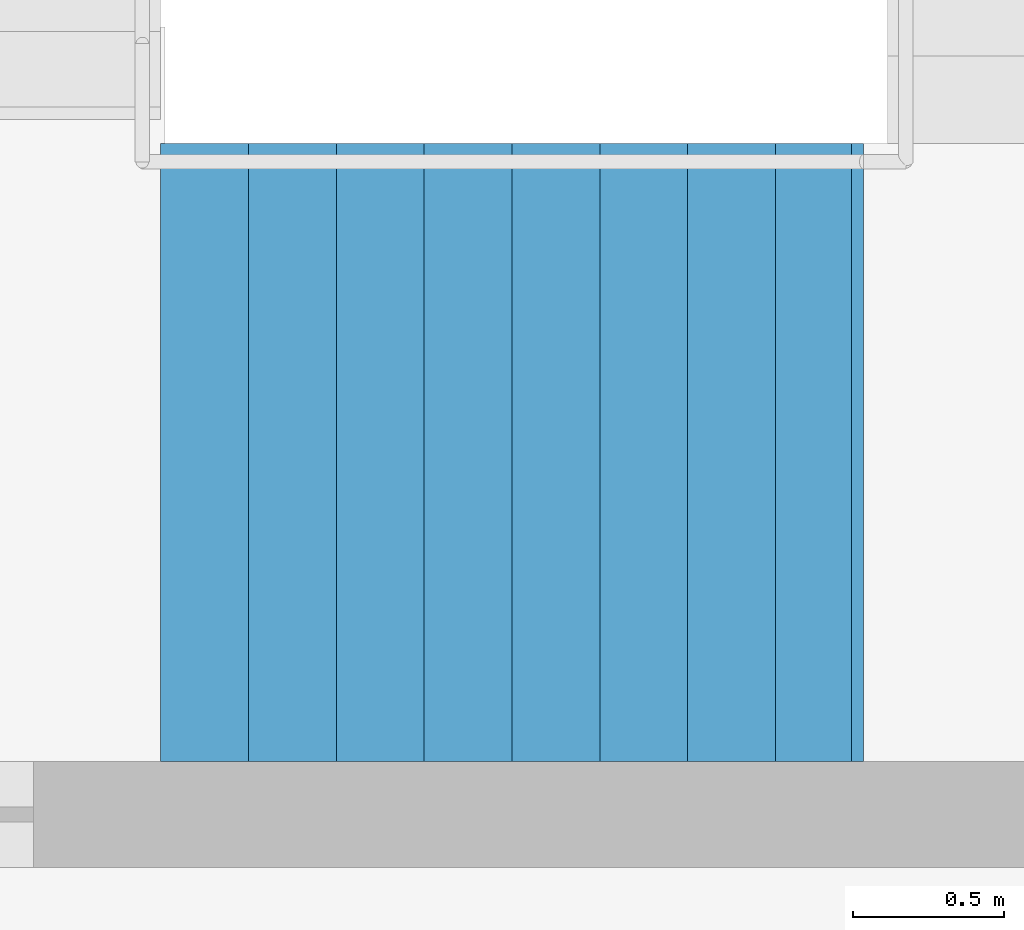
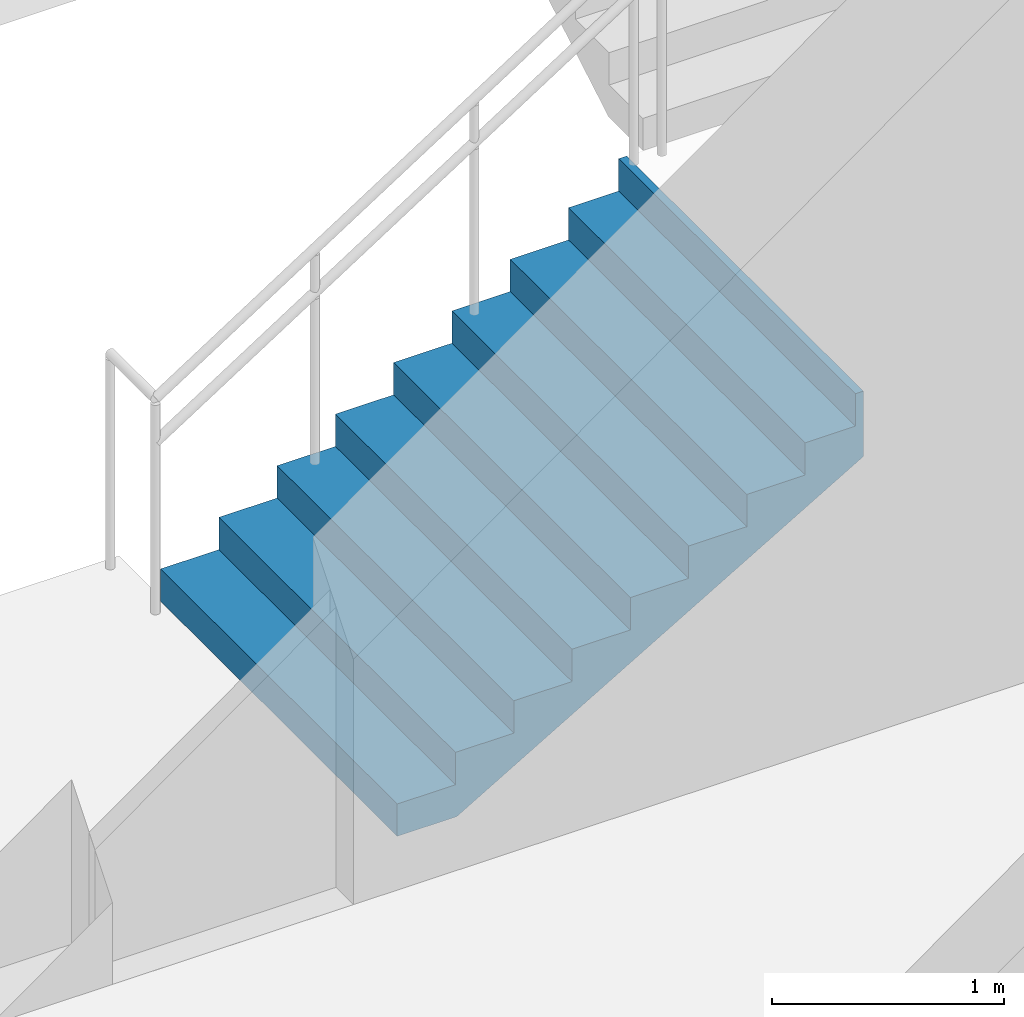
# One storey, part 40 of 46: 1 stair flight, 1 element without a shape of its own.
"""IFC4 building model written with IfcOpenShell, lengths in metres."""

import ifcopenshell
import ifcopenshell.guid

model = None  # the IFC model being written
_history = None  # IfcOwnerHistory: only IFC2X3 demands one
_inside = {}  # id of a spatial element -> (the spatial element, [elements in it])
_under = {}  # id of a project, library or spatial element -> (it, [spatial elements below it])
_declared = {}  # id of a project -> (the project, [libraries it declares])
_typed = {}  # id of a type object -> (the type object, [elements of that type])
_made_of = {}  # id of a material, layer set ... -> (it, [elements and type objects made of it])


def new_model(schema):
    """Start an empty IFC model of exactly this schema.

    Asked for "IFC4X3", IfcOpenShell would pick the latest addendum, in which some entities
    have other attributes; the version numbers below select the first issue.
    IFC2X3 requires an IfcOwnerHistory on every rooted entity: one is made here for all.
    """
    global model, _history
    if schema == "IFC4X3":
        model = ifcopenshell.file(schema_version=(4, 3, 0, 0))
    else:
        model = ifcopenshell.file(schema=schema)
    _inside.clear()
    _under.clear()
    _declared.clear()
    _typed.clear()
    _made_of.clear()
    _history = None
    if model.schema == "IFC2X3":
        org = make("IfcOrganization", Name="unknown")
        user = make(
            "IfcPersonAndOrganization",
            ThePerson=make("IfcPerson", FamilyName="unknown"),
            TheOrganization=org,
        )
        app = make(
            "IfcApplication",
            ApplicationDeveloper=org,
            Version="unknown",
            ApplicationFullName="unknown",
            ApplicationIdentifier="unknown",
        )
        _history = make(
            "IfcOwnerHistory",
            OwningUser=user,
            OwningApplication=app,
            ChangeAction="ADDED",
            CreationDate=0,
        )
    return model


def make(cls, **values):
    """One entity of the class cls with the attributes given. An attribute that is None is left unset."""
    return model.create_entity(
        cls, **{name: value for name, value in values.items() if value is not None}
    )


def rooted(cls, **values):
    """An entity with a GlobalId (a new one), such as an element, a storey or a relation."""
    return make(cls, GlobalId=ifcopenshell.guid.new(), OwnerHistory=_history, **values)


def si_unit(unit_type, name, prefix=None):
    """IfcSIUnit, for example si_unit("LENGTHUNIT", "METRE", prefix="MILLI")."""
    return make("IfcSIUnit", UnitType=unit_type, Prefix=prefix, Name=name)


def assignment(units):
    """IfcUnitAssignment: the units of a project."""
    return None if units is None else make("IfcUnitAssignment", Units=units)


def point(xyz):
    """IfcCartesianPoint."""
    return None if xyz is None else make("IfcCartesianPoint", Coordinates=xyz)


def direction(xyz):
    """IfcDirection."""
    return None if xyz is None else make("IfcDirection", DirectionRatios=xyz)


def frame(location, z_axis=None, x_axis=None):
    """IfcAxis2Placement3D, a coordinate frame: its origin and axes. An axis left out is left unset."""
    return make(
        "IfcAxis2Placement3D",
        Location=point(location),
        Axis=direction(z_axis),
        RefDirection=direction(x_axis),
    )


def origin():
    """The frame at (0, 0, 0) with its axes left unset."""
    return frame((0.0, 0.0, 0.0))


def place(relative_to, where):
    """IfcLocalPlacement: puts the frame where relative to a parent placement (None: the world)."""
    return make(
        "IfcLocalPlacement", PlacementRelTo=relative_to, RelativePlacement=where
    )


def context(
    kind, dimensions, precision=None, world=None, true_north=None, identifier=None
):
    """IfcGeometricRepresentationContext, for example the 3D "Model" context."""
    return make(
        "IfcGeometricRepresentationContext",
        ContextIdentifier=identifier,
        ContextType=kind,
        CoordinateSpaceDimension=dimensions,
        Precision=precision,
        WorldCoordinateSystem=world,
        TrueNorth=true_north,
    )


def subcontext(parent, identifier, kind, view, scale=None):
    """IfcGeometricRepresentationSubContext, for example "Body" below "Model"."""
    return make(
        "IfcGeometricRepresentationSubContext",
        ContextIdentifier=identifier,
        ContextType=kind,
        ParentContext=parent,
        TargetScale=scale,
        TargetView=view,
    )


def project(units=None, contexts=None):
    """IfcProject with its units and contexts."""
    return rooted(
        "IfcProject",
        Name="project",
        RepresentationContexts=contexts,
        UnitsInContext=assignment(units),
    )


def spatial(cls, under=None, at=None, **own):
    """A site, building, storey or space (cls), placed at a placement, below another one or the project."""
    s = rooted(cls, ObjectPlacement=at, **own)
    if under is not None:
        _under.setdefault(under.id(), (under, []))[1].append(s)
    return s


def point_list(points):
    """IfcCartesianPointList2D or 3D."""
    cls = (
        "IfcCartesianPointList2D" if len(points[0]) == 2 else "IfcCartesianPointList3D"
    )
    return make(cls, CoordList=points)


def triangles(points, corners, closed=None, point_numbers=None):
    """IfcTriangulatedFaceSet: each triangle names its three corners, points numbered from 1."""
    return make(
        "IfcTriangulatedFaceSet",
        Coordinates=point_list(points),
        Closed=closed,
        CoordIndex=corners,
        PnIndex=point_numbers,
    )


def shape(context_of_items, identifier, shape_type, items):
    """IfcShapeRepresentation: the items that make up one representation, for example the "Body"."""
    return make(
        "IfcShapeRepresentation",
        ContextOfItems=context_of_items,
        RepresentationIdentifier=identifier,
        RepresentationType=shape_type,
        Items=items,
    )


def material(Name=None, Category=None):
    """IfcMaterial."""
    return make("IfcMaterial", Name=Name, Category=Category)


def made_of(thing, what):
    """Note that an element or type object is made of a material, layer set ...; save() writes the relation."""
    if what is not None:
        _made_of.setdefault(what.id(), (what, []))[1].append(thing)
    return thing


def type_object(cls, material=None, **own):
    """A type object (cls), such as IfcWallType, which elements share."""
    return made_of(rooted(cls, **own), material)


def element(
    cls,
    number,
    at=None,
    inside=None,
    cuts=None,
    type_object=None,
    material=None,
    context=None,
    identifier="Body",
    shape_type=None,
    held_by="IfcProductDefinitionShape",
    body=None,
    shapes=None,
    **own,
):
    """One element of the class cls, such as IfcWall. Its Tag is "e" and its number.

    at: its placement. inside: the storey or other place that contains it. cuts: it is an
    opening in that element (IfcRelVoidsElement). A single representation is given by context,
    identifier, shape_type and body (its items); several are given by shapes. held_by: the class
    of the entity that holds the representations. save() writes the other relations.
    """
    e = rooted(cls, Tag="e%d" % number, ObjectPlacement=at, **own)
    if body is not None:
        shapes = [shape(context, identifier, shape_type, body)]
    if shapes is not None:
        e.Representation = make(held_by, Representations=shapes)
    if inside is not None:
        _inside.setdefault(inside.id(), (inside, []))[1].append(e)
    if cuts is not None:
        rooted(
            "IfcRelVoidsElement", RelatingBuildingElement=cuts, RelatedOpeningElement=e
        )
    if type_object is not None:
        _typed.setdefault(type_object.id(), (type_object, []))[1].append(e)
    return made_of(e, material)


def aggregate(whole, parts):
    """IfcRelAggregates: a whole, such as a stair, and the parts it consists of."""
    return rooted("IfcRelAggregates", RelatingObject=whole, RelatedObjects=parts)


def save(model, path):
    """Write the relations noted so far, then the file.

    IfcRelAggregates (storeys below a building ...), IfcRelContainedInSpatialStructure (elements
    in a storey), IfcRelDefinesByType, IfcRelAssociatesMaterial and IfcRelDeclares: one each for
    every whole, place, type object, material and project.
    """
    for whole, parts in _under.values():
        aggregate(whole, parts)
    for where, things in _inside.values():
        rooted(
            "IfcRelContainedInSpatialStructure",
            RelatedElements=things,
            RelatingStructure=where,
        )
    for kind, things in _typed.values():
        rooted("IfcRelDefinesByType", RelatedObjects=things, RelatingType=kind)
    for what, things in _made_of.values():
        rooted("IfcRelAssociatesMaterial", RelatedObjects=things, RelatingMaterial=what)
    for by, libraries in _declared.values():
        rooted("IfcRelDeclares", RelatingContext=by, RelatedDefinitions=libraries)
    model.write(path)


model = new_model("IFC4")

# Units and contexts
model_context = context("Model", 3, precision=1e-05, world=origin(), true_north=direction((0.0, 1.0)))
body_context = subcontext(model_context, "Body", "Model", "MODEL_VIEW")
ifc_project = project(units=[si_unit("LENGTHUNIT", "METRE"), si_unit("AREAUNIT", "SQUARE_METRE"), si_unit("VOLUMEUNIT", "CUBIC_METRE"), si_unit("PLANEANGLEUNIT", "RADIAN"), si_unit("MASSUNIT", "GRAM", prefix="KILO")], contexts=[model_context])

# Site, building, storey
site_placement = place(None, origin())
site = spatial("IfcSite", under=ifc_project, at=site_placement, CompositionType="ELEMENT")
building_placement = place(site_placement, origin())
building = spatial("IfcBuilding", under=site, at=building_placement, Name="Sillaruma Civic Art Gallery", CompositionType="ELEMENT")
storey_placement = place(building_placement, frame((0.0, 0.0, 16.320068359375)))
storey = spatial("IfcBuildingStorey", under=building, at=storey_placement, Name="L03", CompositionType="ELEMENT", Elevation=16.320068359375)

# Stair, stair flight
ifc_material = material(Name="Concrete H35 (35 MPa)", Category="concrete")
stair_type = type_object("IfcStairType", Name="STR-4F-36", PredefinedType="USERDEFINED", material=ifc_material)
stair_placement = place(storey_placement, origin())
stair = element("IfcStair", 1, at=stair_placement, inside=storey, type_object=stair_type, Name="Protected Exit Stair ST-02 (West Bar North) (L03)", ObjectType="THREE_RETURN_STAIR", PredefinedType="USERDEFINED")
stair_flight_type = type_object("IfcStairFlightType", Name="SFL-STR-9", PredefinedType="STRAIGHT", material=ifc_material)
stair_flight_placement = place(storey_placement, frame((64.800048828125, 81.929931640625, 0.0), z_axis=(0.0, 0.0, 1.0), x_axis=(1.0, 0.0, 0.0)))
stair_flight = element("IfcStairFlight", 2, at=stair_flight_placement, type_object=stair_flight_type, Name="ST-02 flight 1", NumberOfRisers=9, NumberOfTreads=8, PredefinedType="STRAIGHT", RiserHeight=0.17, TreadLength=0.29, context=body_context, shape_type="Tessellation", body=[
    triangles([(0.0, -1.02001953125, 0.0), (0.29, -1.02001953125, 0.0), (0.296482, -1.02001953125, 0.0), (0.58, -1.02001953125, 0.1662), (0.87, -1.02001953125, 0.3362), (1.16, -1.02001953125, 0.5062), (1.45, -1.02001953125, 0.6762), (1.74, -1.02001953125, 0.8462), (2.03, -1.02001953125, 1.0162), (2.280068, -1.02001953125, 1.162792), (2.320068, -1.02001953125, 1.18624), (2.320068, -1.02001953125, 1.53), (2.280068, -1.02001953125, 1.53), (2.280068, -1.02001953125, 1.36), (2.03, -1.02001953125, 1.36), (2.03, -1.02001953125, 1.19), (1.74, -1.02001953125, 1.19), (1.74, -1.02001953125, 1.02), (1.45, -1.02001953125, 1.02), (1.45, -1.02001953125, 0.85), (1.16, -1.02001953125, 0.85), (1.16, -1.02001953125, 0.68), (0.87, -1.02001953125, 0.68), (0.87, -1.02001953125, 0.51), (0.58, -1.02001953125, 0.51), (0.58, -1.02001953125, 0.34), (0.296482, -1.02001953125, 0.34), (0.29, -1.02001953125, 0.34), (0.29, -1.02001953125, 0.17), (0.0, -1.02001953125, 0.17), (0.0, -0.05, 0.0), (0.29, -0.05, 0.0), (0.296482, -0.05, 0.0), (0.58, -0.05, 0.1662), (0.87, -0.05, 0.3362), (1.16, -0.05, 0.5062), (1.45, -0.05, 0.6762), (1.74, -0.05, 0.8462), (2.03, -0.05, 1.0162), (2.280068, -0.05, 1.162792), (2.320068, -0.05, 1.18624), (2.320068, -0.05, 1.53), (2.280068, -0.05, 1.53), (2.280068, -0.05, 1.36), (2.03, -0.05, 1.36), (2.03, -0.05, 1.19), (1.74, -0.05, 1.19), (1.74, -0.05, 1.02), (1.45, -0.05, 1.02), (1.45, -0.05, 0.85), (1.16, -0.05, 0.85), (1.16, -0.05, 0.68), (0.87, -0.05, 0.68), (0.87, -0.05, 0.51), (0.58, -0.05, 0.51), (0.58, -0.05, 0.34), (0.296482, -0.05, 0.34), (0.29, -0.05, 0.34), (0.29, -0.05, 0.17), (0.0, -0.05, 0.17), (0.0, -0.0375, 0.0), (0.29, -0.0375, 0.0), (0.296482, -0.0375, 0.0), (0.58, -0.0375, 0.1662), (0.87, -0.0375, 0.3362), (1.16, -0.0375, 0.5062), (1.45, -0.0375, 0.6762), (1.74, -0.0375, 0.8462), (2.03, -0.0375, 1.0162), (2.280068, -0.0375, 1.162792), (2.320068, -0.0375, 1.18624), (2.320068, -0.0375, 1.53), (2.280068, -0.0375, 1.53), (2.280068, -0.0375, 1.36), (2.03, -0.0375, 1.36), (2.03, -0.0375, 1.19), (1.74, -0.0375, 1.19), (1.74, -0.0375, 1.02), (1.45, -0.0375, 1.02), (1.45, -0.0375, 0.85), (1.16, -0.0375, 0.85), (1.16, -0.0375, 0.68), (0.87, -0.0375, 0.68), (0.87, -0.0375, 0.51), (0.58, -0.0375, 0.51), (0.58, -0.0375, 0.34), (0.296482, -0.0375, 0.34), (0.29, -0.0375, 0.34), (0.29, -0.0375, 0.17), (0.0, -0.0375, 0.17), (0.0, -0.025, 0.0), (0.29, -0.025, 0.0), (0.296482, -0.025, 0.0), (0.58, -0.025, 0.1662), (0.87, -0.025, 0.3362), (1.16, -0.025, 0.5062), (1.45, -0.025, 0.6762), (1.74, -0.025, 0.8462), (2.03, -0.025, 1.0162), (2.280068, -0.025, 1.162792), (2.320068, -0.025, 1.18624), (2.320068, -0.025, 1.53), (2.280068, -0.025, 1.53), (2.280068, -0.025, 1.36), (2.03, -0.025, 1.36), (2.03, -0.025, 1.19), (1.74, -0.025, 1.19), (1.74, -0.025, 1.02), (1.45, -0.025, 1.02), (1.45, -0.025, 0.85), (1.16, -0.025, 0.85), (1.16, -0.025, 0.68), (0.87, -0.025, 0.68), (0.87, -0.025, 0.51), (0.58, -0.025, 0.51), (0.58, -0.025, 0.34), (0.296482, -0.025, 0.34), (0.29, -0.025, 0.34), (0.29, -0.025, 0.17), (0.0, -0.025, 0.17), (0.0, -0.0125, 0.0), (0.29, -0.0125, 0.0), (0.296482, -0.0125, 0.0), (0.58, -0.0125, 0.1662), (0.87, -0.0125, 0.3362), (1.16, -0.0125, 0.5062), (1.45, -0.0125, 0.6762), (1.74, -0.0125, 0.8462), (2.03, -0.0125, 1.0162), (2.280068, -0.0125, 1.162792), (2.320068, -0.0125, 1.18624), (2.320068, -0.0125, 1.53), (2.280068, -0.0125, 1.53), (2.280068, -0.0125, 1.36), (2.03, -0.0125, 1.36), (2.03, -0.0125, 1.19), (1.74, -0.0125, 1.19), (1.74, -0.0125, 1.02), (1.45, -0.0125, 1.02), (1.45, -0.0125, 0.85), (1.16, -0.0125, 0.85), (1.16, -0.0125, 0.68), (0.87, -0.0125, 0.68), (0.87, -0.0125, 0.51), (0.58, -0.0125, 0.51), (0.58, -0.0125, 0.34), (0.296482, -0.0125, 0.34), (0.29, -0.0125, 0.34), (0.29, -0.0125, 0.17), (0.0, -0.0125, 0.17), (0.0, 0.0, 0.0), (0.29, 0.0, 0.0), (0.296482, 0.0, 0.0), (0.58, 0.0, 0.1662), (0.87, 0.0, 0.3362), (1.16, 0.0, 0.5062), (1.45, 0.0, 0.6762), (1.74, 0.0, 0.8462), (2.03, 0.0, 1.0162), (2.280068, 0.0, 1.162792), (2.320068, 0.0, 1.18624), (2.320068, 0.0, 1.53), (2.280068, 0.0, 1.53), (2.280068, 0.0, 1.36), (2.03, 0.0, 1.36), (2.03, 0.0, 1.19), (1.74, 0.0, 1.19), (1.74, 0.0, 1.02), (1.45, 0.0, 1.02), (1.45, 0.0, 0.85), (1.16, 0.0, 0.85), (1.16, 0.0, 0.68), (0.87, 0.0, 0.68), (0.87, 0.0, 0.51), (0.58, 0.0, 0.51), (0.58, 0.0, 0.34), (0.296482, 0.0, 0.34), (0.29, 0.0, 0.34), (0.29, 0.0, 0.17), (0.0, 0.0, 0.17), (0.0, 0.0125, 0.0), (0.29, 0.0125, 0.0), (0.296482, 0.0125, 0.0), (0.58, 0.0125, 0.1662), (0.87, 0.0125, 0.3362), (1.16, 0.0125, 0.5062), (1.45, 0.0125, 0.6762), (1.74, 0.0125, 0.8462), (2.03, 0.0125, 1.0162), (2.280068, 0.0125, 1.162792), (2.320068, 0.0125, 1.18624), (2.320068, 0.0125, 1.53), (2.280068, 0.0125, 1.53), (2.280068, 0.0125, 1.36), (2.03, 0.0125, 1.36), (2.03, 0.0125, 1.19), (1.74, 0.0125, 1.19), (1.74, 0.0125, 1.02), (1.45, 0.0125, 1.02), (1.45, 0.0125, 0.85), (1.16, 0.0125, 0.85), (1.16, 0.0125, 0.68), (0.87, 0.0125, 0.68), (0.87, 0.0125, 0.51), (0.58, 0.0125, 0.51), (0.58, 0.0125, 0.34), (0.296482, 0.0125, 0.34), (0.29, 0.0125, 0.34), (0.29, 0.0125, 0.17), (0.0, 0.0125, 0.17), (0.0, 0.025, 0.0), (0.29, 0.025, 0.0), (0.296482, 0.025, 0.0), (0.58, 0.025, 0.1662), (0.87, 0.025, 0.3362), (1.16, 0.025, 0.5062), (1.45, 0.025, 0.6762), (1.74, 0.025, 0.8462), (2.03, 0.025, 1.0162), (2.280068, 0.025, 1.162792), (2.320068, 0.025, 1.18624), (2.320068, 0.025, 1.53), (2.280068, 0.025, 1.53), (2.280068, 0.025, 1.36), (2.03, 0.025, 1.36), (2.03, 0.025, 1.19), (1.74, 0.025, 1.19), (1.74, 0.025, 1.02), (1.45, 0.025, 1.02), (1.45, 0.025, 0.85), (1.16, 0.025, 0.85), (1.16, 0.025, 0.68), (0.87, 0.025, 0.68), (0.87, 0.025, 0.51), (0.58, 0.025, 0.51), (0.58, 0.025, 0.34), (0.296482, 0.025, 0.34), (0.29, 0.025, 0.34), (0.29, 0.025, 0.17), (0.0, 0.025, 0.17), (0.0, 0.0375, 0.0), (0.29, 0.0375, 0.0), (0.296482, 0.0375, 0.0), (0.58, 0.0375, 0.1662), (0.87, 0.0375, 0.3362), (1.16, 0.0375, 0.5062), (1.45, 0.0375, 0.6762), (1.74, 0.0375, 0.8462), (2.03, 0.0375, 1.0162), (2.280068, 0.0375, 1.162792), (2.320068, 0.0375, 1.18624), (2.320068, 0.0375, 1.53), (2.280068, 0.0375, 1.53), (2.280068, 0.0375, 1.36), (2.03, 0.0375, 1.36), (2.03, 0.0375, 1.19), (1.74, 0.0375, 1.19), (1.74, 0.0375, 1.02), (1.45, 0.0375, 1.02), (1.45, 0.0375, 0.85), (1.16, 0.0375, 0.85), (1.16, 0.0375, 0.68), (0.87, 0.0375, 0.68), (0.87, 0.0375, 0.51), (0.58, 0.0375, 0.51), (0.58, 0.0375, 0.34), (0.296482, 0.0375, 0.34), (0.29, 0.0375, 0.34), (0.29, 0.0375, 0.17), (0.0, 0.0375, 0.17), (0.0, 0.05, 0.0), (0.29, 0.05, 0.0), (0.296482, 0.05, 0.0), (0.58, 0.05, 0.1662), (0.87, 0.05, 0.3362), (1.16, 0.05, 0.5062), (1.45, 0.05, 0.6762), (1.74, 0.05, 0.8462), (2.03, 0.05, 1.0162), (2.280068, 0.05, 1.162792), (2.320068, 0.05, 1.18624), (2.320068, 0.05, 1.53), (2.280068, 0.05, 1.53), (2.280068, 0.05, 1.36), (2.03, 0.05, 1.36), (2.03, 0.05, 1.19), (1.74, 0.05, 1.19), (1.74, 0.05, 1.02), (1.45, 0.05, 1.02), (1.45, 0.05, 0.85), (1.16, 0.05, 0.85), (1.16, 0.05, 0.68), (0.87, 0.05, 0.68), (0.87, 0.05, 0.51), (0.58, 0.05, 0.51), (0.58, 0.05, 0.34), (0.296482, 0.05, 0.34), (0.29, 0.05, 0.34), (0.29, 0.05, 0.17), (0.0, 0.05, 0.17), (0.0, 1.02001953125, 0.0), (0.29, 1.02001953125, 0.0), (0.296482, 1.02001953125, 0.0), (0.58, 1.02001953125, 0.1662), (0.87, 1.02001953125, 0.3362), (1.16, 1.02001953125, 0.5062), (1.45, 1.02001953125, 0.6762), (1.74, 1.02001953125, 0.8462), (2.03, 1.02001953125, 1.0162), (2.280068, 1.02001953125, 1.162792), (2.320068, 1.02001953125, 1.18624), (2.320068, 1.02001953125, 1.53), (2.280068, 1.02001953125, 1.53), (2.280068, 1.02001953125, 1.36), (2.03, 1.02001953125, 1.36), (2.03, 1.02001953125, 1.19), (1.74, 1.02001953125, 1.19), (1.74, 1.02001953125, 1.02), (1.45, 1.02001953125, 1.02), (1.45, 1.02001953125, 0.85), (1.16, 1.02001953125, 0.85), (1.16, 1.02001953125, 0.68), (0.87, 1.02001953125, 0.68), (0.87, 1.02001953125, 0.51), (0.58, 1.02001953125, 0.51), (0.58, 1.02001953125, 0.34), (0.296482, 1.02001953125, 0.34), (0.29, 1.02001953125, 0.34), (0.29, 1.02001953125, 0.17), (0.0, 1.02001953125, 0.17)], [[1, 2, 29], [1, 29, 30], [2, 3, 27], [2, 27, 29], [29, 27, 28], [3, 4, 26], [3, 26, 27], [4, 5, 24], [4, 24, 26], [26, 24, 25], [5, 6, 22], [5, 22, 24], [24, 22, 23], [6, 7, 20], [6, 20, 22], [22, 20, 21], [7, 8, 18], [7, 18, 20], [20, 18, 19], [8, 9, 16], [8, 16, 18], [18, 16, 17], [9, 10, 14], [9, 14, 16], [16, 14, 15], [10, 11, 12], [10, 12, 14], [14, 12, 13], [329, 302, 301], [330, 329, 301], [327, 303, 302], [329, 327, 302], [328, 327, 329], [326, 304, 303], [327, 326, 303], [324, 305, 304], [326, 324, 304], [325, 324, 326], [322, 306, 305], [324, 322, 305], [323, 322, 324], [320, 307, 306], [322, 320, 306], [321, 320, 322], [318, 308, 307], [320, 318, 307], [319, 318, 320], [316, 309, 308], [318, 316, 308], [317, 316, 318], [314, 310, 309], [316, 314, 309], [315, 314, 316], [312, 311, 310], [314, 312, 310], [313, 312, 314], [2, 1, 31], [2, 31, 32], [3, 2, 32], [3, 32, 33], [4, 3, 33], [4, 33, 34], [5, 4, 34], [5, 34, 35], [6, 5, 35], [6, 35, 36], [7, 6, 36], [7, 36, 37], [8, 7, 37], [8, 37, 38], [9, 8, 38], [9, 38, 39], [10, 9, 39], [10, 39, 40], [11, 10, 40], [11, 40, 41], [12, 11, 41], [12, 41, 42], [13, 12, 42], [13, 42, 43], [14, 13, 43], [14, 43, 44], [15, 14, 44], [15, 44, 45], [16, 15, 45], [16, 45, 46], [17, 16, 46], [17, 46, 47], [18, 17, 47], [18, 47, 48], [19, 18, 48], [19, 48, 49], [20, 19, 49], [20, 49, 50], [21, 20, 50], [21, 50, 51], [22, 21, 51], [22, 51, 52], [23, 22, 52], [23, 52, 53], [24, 23, 53], [24, 53, 54], [25, 24, 54], [25, 54, 55], [26, 25, 55], [26, 55, 56], [27, 26, 56], [27, 56, 57], [28, 27, 57], [28, 57, 58], [29, 28, 58], [29, 58, 59], [30, 29, 59], [30, 59, 60], [1, 30, 60], [1, 60, 31], [32, 31, 61], [32, 61, 62], [33, 32, 62], [33, 62, 63], [34, 33, 63], [34, 63, 64], [35, 34, 64], [35, 64, 65], [36, 35, 65], [36, 65, 66], [37, 36, 66], [37, 66, 67], [38, 37, 67], [38, 67, 68], [39, 38, 68], [39, 68, 69], [40, 39, 69], [40, 69, 70], [41, 40, 70], [41, 70, 71], [42, 41, 71], [42, 71, 72], [43, 42, 72], [43, 72, 73], [44, 43, 73], [44, 73, 74], [45, 44, 74], [45, 74, 75], [46, 45, 75], [46, 75, 76], [47, 46, 76], [47, 76, 77], [48, 47, 77], [48, 77, 78], [49, 48, 78], [49, 78, 79], [50, 49, 79], [50, 79, 80], [51, 50, 80], [51, 80, 81], [52, 51, 81], [52, 81, 82], [53, 52, 82], [53, 82, 83], [54, 53, 83], [54, 83, 84], [55, 54, 84], [55, 84, 85], [56, 55, 85], [56, 85, 86], [57, 56, 86], [57, 86, 87], [58, 57, 87], [58, 87, 88], [59, 58, 88], [59, 88, 89], [60, 59, 89], [60, 89, 90], [31, 60, 90], [31, 90, 61], [62, 61, 91], [62, 91, 92], [63, 62, 92], [63, 92, 93], [64, 63, 93], [64, 93, 94], [65, 64, 94], [65, 94, 95], [66, 65, 95], [66, 95, 96], [67, 66, 96], [67, 96, 97], [68, 67, 97], [68, 97, 98], [69, 68, 98], [69, 98, 99], [70, 69, 99], [70, 99, 100], [71, 70, 100], [71, 100, 101], [72, 71, 101], [72, 101, 102], [73, 72, 102], [73, 102, 103], [74, 73, 103], [74, 103, 104], [75, 74, 104], [75, 104, 105], [76, 75, 105], [76, 105, 106], [77, 76, 106], [77, 106, 107], [78, 77, 107], [78, 107, 108], [79, 78, 108], [79, 108, 109], [80, 79, 109], [80, 109, 110], [81, 80, 110], [81, 110, 111], [82, 81, 111], [82, 111, 112], [83, 82, 112], [83, 112, 113], [84, 83, 113], [84, 113, 114], [85, 84, 114], [85, 114, 115], [86, 85, 115], [86, 115, 116], [87, 86, 116], [87, 116, 117], [88, 87, 117], [88, 117, 118], [89, 88, 118], [89, 118, 119], [90, 89, 119], [90, 119, 120], [61, 90, 120], [61, 120, 91], [92, 91, 121], [92, 121, 122], [93, 92, 122], [93, 122, 123], [94, 93, 123], [94, 123, 124], [95, 94, 124], [95, 124, 125], [96, 95, 125], [96, 125, 126], [97, 96, 126], [97, 126, 127], [98, 97, 127], [98, 127, 128], [99, 98, 128], [99, 128, 129], [100, 99, 129], [100, 129, 130], [101, 100, 130], [101, 130, 131], [102, 101, 131], [102, 131, 132], [103, 102, 132], [103, 132, 133], [104, 103, 133], [104, 133, 134], [105, 104, 134], [105, 134, 135], [106, 105, 135], [106, 135, 136], [107, 106, 136], [107, 136, 137], [108, 107, 137], [108, 137, 138], [109, 108, 138], [109, 138, 139], [110, 109, 139], [110, 139, 140], [111, 110, 140], [111, 140, 141], [112, 111, 141], [112, 141, 142], [113, 112, 142], [113, 142, 143], [114, 113, 143], [114, 143, 144], [115, 114, 144], [115, 144, 145], [116, 115, 145], [116, 145, 146], [117, 116, 146], [117, 146, 147], [118, 117, 147], [118, 147, 148], [119, 118, 148], [119, 148, 149], [120, 119, 149], [120, 149, 150], [91, 120, 150], [91, 150, 121], [122, 121, 151], [122, 151, 152], [123, 122, 152], [123, 152, 153], [124, 123, 153], [124, 153, 154], [125, 124, 154], [125, 154, 155], [126, 125, 155], [126, 155, 156], [127, 126, 156], [127, 156, 157], [128, 127, 157], [128, 157, 158], [129, 128, 158], [129, 158, 159], [130, 129, 159], [130, 159, 160], [131, 130, 160], [131, 160, 161], [132, 131, 161], [132, 161, 162], [133, 132, 162], [133, 162, 163], [134, 133, 163], [134, 163, 164], [135, 134, 164], [135, 164, 165], [136, 135, 165], [136, 165, 166], [137, 136, 166], [137, 166, 167], [138, 137, 167], [138, 167, 168], [139, 138, 168], [139, 168, 169], [140, 139, 169], [140, 169, 170], [141, 140, 170], [141, 170, 171], [142, 141, 171], [142, 171, 172], [143, 142, 172], [143, 172, 173], [144, 143, 173], [144, 173, 174], [145, 144, 174], [145, 174, 175], [146, 145, 175], [146, 175, 176], [147, 146, 176], [147, 176, 177], [148, 147, 177], [148, 177, 178], [149, 148, 178], [149, 178, 179], [150, 149, 179], [150, 179, 180], [121, 150, 180], [121, 180, 151], [152, 151, 181], [152, 181, 182], [153, 152, 182], [153, 182, 183], [154, 153, 183], [154, 183, 184], [155, 154, 184], [155, 184, 185], [156, 155, 185], [156, 185, 186], [157, 156, 186], [157, 186, 187], [158, 157, 187], [158, 187, 188], [159, 158, 188], [159, 188, 189], [160, 159, 189], [160, 189, 190], [161, 160, 190], [161, 190, 191], [162, 161, 191], [162, 191, 192], [163, 162, 192], [163, 192, 193], [164, 163, 193], [164, 193, 194], [165, 164, 194], [165, 194, 195], [166, 165, 195], [166, 195, 196], [167, 166, 196], [167, 196, 197], [168, 167, 197], [168, 197, 198], [169, 168, 198], [169, 198, 199], [170, 169, 199], [170, 199, 200], [171, 170, 200], [171, 200, 201], [172, 171, 201], [172, 201, 202], [173, 172, 202], [173, 202, 203], [174, 173, 203], [174, 203, 204], [175, 174, 204], [175, 204, 205], [176, 175, 205], [176, 205, 206], [177, 176, 206], [177, 206, 207], [178, 177, 207], [178, 207, 208], [179, 178, 208], [179, 208, 209], [180, 179, 209], [180, 209, 210], [151, 180, 210], [151, 210, 181], [182, 181, 211], [182, 211, 212], [183, 182, 212], [183, 212, 213], [184, 183, 213], [184, 213, 214], [185, 184, 214], [185, 214, 215], [186, 185, 215], [186, 215, 216], [187, 186, 216], [187, 216, 217], [188, 187, 217], [188, 217, 218], [189, 188, 218], [189, 218, 219], [190, 189, 219], [190, 219, 220], [191, 190, 220], [191, 220, 221], [192, 191, 221], [192, 221, 222], [193, 192, 222], [193, 222, 223], [194, 193, 223], [194, 223, 224], [195, 194, 224], [195, 224, 225], [196, 195, 225], [196, 225, 226], [197, 196, 226], [197, 226, 227], [198, 197, 227], [198, 227, 228], [199, 198, 228], [199, 228, 229], [200, 199, 229], [200, 229, 230], [201, 200, 230], [201, 230, 231], [202, 201, 231], [202, 231, 232], [203, 202, 232], [203, 232, 233], [204, 203, 233], [204, 233, 234], [205, 204, 234], [205, 234, 235], [206, 205, 235], [206, 235, 236], [207, 206, 236], [207, 236, 237], [208, 207, 237], [208, 237, 238], [209, 208, 238], [209, 238, 239], [210, 209, 239], [210, 239, 240], [181, 210, 240], [181, 240, 211], [212, 211, 241], [212, 241, 242], [213, 212, 242], [213, 242, 243], [214, 213, 243], [214, 243, 244], [215, 214, 244], [215, 244, 245], [216, 215, 245], [216, 245, 246], [217, 216, 246], [217, 246, 247], [218, 217, 247], [218, 247, 248], [219, 218, 248], [219, 248, 249], [220, 219, 249], [220, 249, 250], [221, 220, 250], [221, 250, 251], [222, 221, 251], [222, 251, 252], [223, 222, 252], [223, 252, 253], [224, 223, 253], [224, 253, 254], [225, 224, 254], [225, 254, 255], [226, 225, 255], [226, 255, 256], [227, 226, 256], [227, 256, 257], [228, 227, 257], [228, 257, 258], [229, 228, 258], [229, 258, 259], [230, 229, 259], [230, 259, 260], [231, 230, 260], [231, 260, 261], [232, 231, 261], [232, 261, 262], [233, 232, 262], [233, 262, 263], [234, 233, 263], [234, 263, 264], [235, 234, 264], [235, 264, 265], [236, 235, 265], [236, 265, 266], [237, 236, 266], [237, 266, 267], [238, 237, 267], [238, 267, 268], [239, 238, 268], [239, 268, 269], [240, 239, 269], [240, 269, 270], [211, 240, 270], [211, 270, 241], [242, 241, 271], [242, 271, 272], [243, 242, 272], [243, 272, 273], [244, 243, 273], [244, 273, 274], [245, 244, 274], [245, 274, 275], [246, 245, 275], [246, 275, 276], [247, 246, 276], [247, 276, 277], [248, 247, 277], [248, 277, 278], [249, 248, 278], [249, 278, 279], [250, 249, 279], [250, 279, 280], [251, 250, 280], [251, 280, 281], [252, 251, 281], [252, 281, 282], [253, 252, 282], [253, 282, 283], [254, 253, 283], [254, 283, 284], [255, 254, 284], [255, 284, 285], [256, 255, 285], [256, 285, 286], [257, 256, 286], [257, 286, 287], [258, 257, 287], [258, 287, 288], [259, 258, 288], [259, 288, 289], [260, 259, 289], [260, 289, 290], [261, 260, 290], [261, 290, 291], [262, 261, 291], [262, 291, 292], [263, 262, 292], [263, 292, 293], [264, 263, 293], [264, 293, 294], [265, 264, 294], [265, 294, 295], [266, 265, 295], [266, 295, 296], [267, 266, 296], [267, 296, 297], [268, 267, 297], [268, 297, 298], [269, 268, 298], [269, 298, 299], [270, 269, 299], [270, 299, 300], [241, 270, 300], [241, 300, 271], [272, 271, 301], [272, 301, 302], [273, 272, 302], [273, 302, 303], [274, 273, 303], [274, 303, 304], [275, 274, 304], [275, 304, 305], [276, 275, 305], [276, 305, 306], [277, 276, 306], [277, 306, 307], [278, 277, 307], [278, 307, 308], [279, 278, 308], [279, 308, 309], [280, 279, 309], [280, 309, 310], [281, 280, 310], [281, 310, 311], [282, 281, 311], [282, 311, 312], [283, 282, 312], [283, 312, 313], [284, 283, 313], [284, 313, 314], [285, 284, 314], [285, 314, 315], [286, 285, 315], [286, 315, 316], [287, 286, 316], [287, 316, 317], [288, 287, 317], [288, 317, 318], [289, 288, 318], [289, 318, 319], [290, 289, 319], [290, 319, 320], [291, 290, 320], [291, 320, 321], [292, 291, 321], [292, 321, 322], [293, 292, 322], [293, 322, 323], [294, 293, 323], [294, 323, 324], [295, 294, 324], [295, 324, 325], [296, 295, 325], [296, 325, 326], [297, 296, 326], [297, 326, 327], [298, 297, 327], [298, 327, 328], [299, 298, 328], [299, 328, 329], [300, 299, 329], [300, 329, 330], [271, 300, 330], [271, 330, 301]], closed=True),
])
aggregate(stair, [stair_flight])

save(model, "model.ifc")
